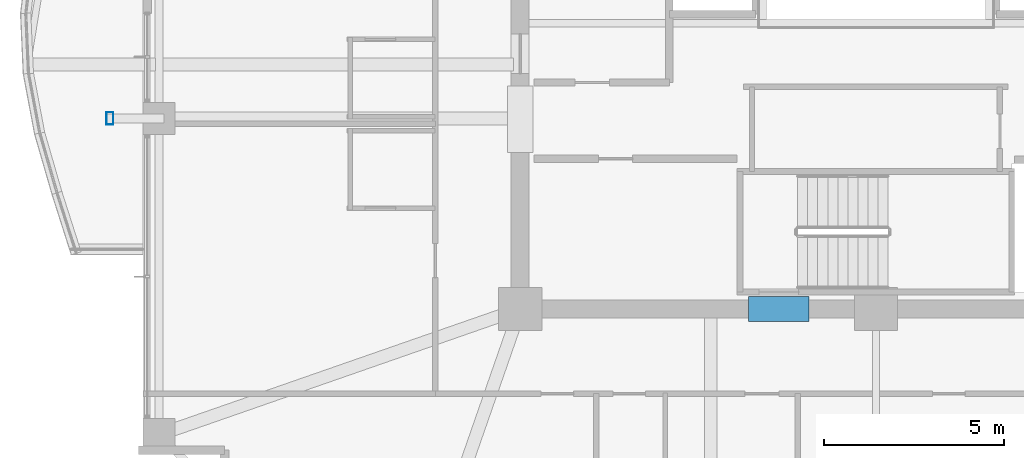
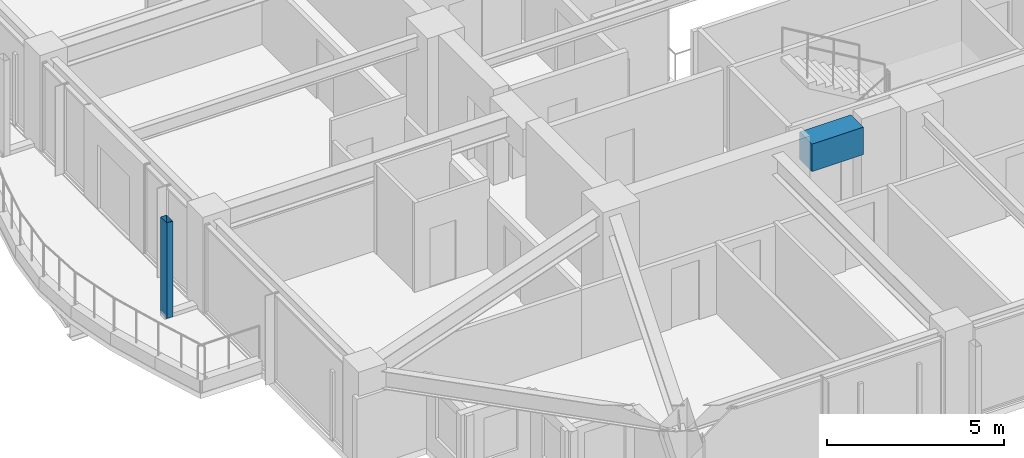
# One storey, part 5 of 35: 1 beam, 1 member.
"""IFC4 building model written with IfcOpenShell, lengths in metres."""

import ifcopenshell
import ifcopenshell.guid

model = None  # the IFC model being written
_history = None  # IfcOwnerHistory: only IFC2X3 demands one
_inside = {}  # id of a spatial element -> (the spatial element, [elements in it])
_under = {}  # id of a project, library or spatial element -> (it, [spatial elements below it])
_declared = {}  # id of a project -> (the project, [libraries it declares])
_typed = {}  # id of a type object -> (the type object, [elements of that type])
_made_of = {}  # id of a material, layer set ... -> (it, [elements and type objects made of it])


def new_model(schema):
    """Start an empty IFC model of exactly this schema.

    Asked for "IFC4X3", IfcOpenShell would pick the latest addendum, in which some entities
    have other attributes; the version numbers below select the first issue.
    IFC2X3 requires an IfcOwnerHistory on every rooted entity: one is made here for all.
    """
    global model, _history
    if schema == "IFC4X3":
        model = ifcopenshell.file(schema_version=(4, 3, 0, 0))
    else:
        model = ifcopenshell.file(schema=schema)
    _inside.clear()
    _under.clear()
    _declared.clear()
    _typed.clear()
    _made_of.clear()
    _history = None
    if model.schema == "IFC2X3":
        org = make("IfcOrganization", Name="unknown")
        user = make(
            "IfcPersonAndOrganization",
            ThePerson=make("IfcPerson", FamilyName="unknown"),
            TheOrganization=org,
        )
        app = make(
            "IfcApplication",
            ApplicationDeveloper=org,
            Version="unknown",
            ApplicationFullName="unknown",
            ApplicationIdentifier="unknown",
        )
        _history = make(
            "IfcOwnerHistory",
            OwningUser=user,
            OwningApplication=app,
            ChangeAction="ADDED",
            CreationDate=0,
        )
    return model


def make(cls, **values):
    """One entity of the class cls with the attributes given. An attribute that is None is left unset."""
    return model.create_entity(
        cls, **{name: value for name, value in values.items() if value is not None}
    )


def rooted(cls, **values):
    """An entity with a GlobalId (a new one), such as an element, a storey or a relation."""
    return make(cls, GlobalId=ifcopenshell.guid.new(), OwnerHistory=_history, **values)


def si_unit(unit_type, name, prefix=None):
    """IfcSIUnit, for example si_unit("LENGTHUNIT", "METRE", prefix="MILLI")."""
    return make("IfcSIUnit", UnitType=unit_type, Prefix=prefix, Name=name)


def assignment(units):
    """IfcUnitAssignment: the units of a project."""
    return None if units is None else make("IfcUnitAssignment", Units=units)


def point(xyz):
    """IfcCartesianPoint."""
    return None if xyz is None else make("IfcCartesianPoint", Coordinates=xyz)


def direction(xyz):
    """IfcDirection."""
    return None if xyz is None else make("IfcDirection", DirectionRatios=xyz)


def frame(location, z_axis=None, x_axis=None):
    """IfcAxis2Placement3D, a coordinate frame: its origin and axes. An axis left out is left unset."""
    return make(
        "IfcAxis2Placement3D",
        Location=point(location),
        Axis=direction(z_axis),
        RefDirection=direction(x_axis),
    )


def frame_2d(location, x_axis=None):
    """IfcAxis2Placement2D, a coordinate frame in the plane: its origin and x axis."""
    return make(
        "IfcAxis2Placement2D", Location=point(location), RefDirection=direction(x_axis)
    )


def origin():
    """The frame at (0, 0, 0) with its axes left unset."""
    return frame((0.0, 0.0, 0.0))


def origin_2d():
    """The frame at (0, 0) in the plane with its x axis left unset."""
    return frame_2d((0.0, 0.0))


def place(relative_to, where):
    """IfcLocalPlacement: puts the frame where relative to a parent placement (None: the world)."""
    return make(
        "IfcLocalPlacement", PlacementRelTo=relative_to, RelativePlacement=where
    )


def context(
    kind, dimensions, precision=None, world=None, true_north=None, identifier=None
):
    """IfcGeometricRepresentationContext, for example the 3D "Model" context."""
    return make(
        "IfcGeometricRepresentationContext",
        ContextIdentifier=identifier,
        ContextType=kind,
        CoordinateSpaceDimension=dimensions,
        Precision=precision,
        WorldCoordinateSystem=world,
        TrueNorth=true_north,
    )


def subcontext(parent, identifier, kind, view, scale=None):
    """IfcGeometricRepresentationSubContext, for example "Body" below "Model"."""
    return make(
        "IfcGeometricRepresentationSubContext",
        ContextIdentifier=identifier,
        ContextType=kind,
        ParentContext=parent,
        TargetScale=scale,
        TargetView=view,
    )


def project(units=None, contexts=None):
    """IfcProject with its units and contexts."""
    return rooted(
        "IfcProject",
        Name="project",
        RepresentationContexts=contexts,
        UnitsInContext=assignment(units),
    )


def spatial(cls, under=None, at=None, **own):
    """A site, building, storey or space (cls), placed at a placement, below another one or the project."""
    s = rooted(cls, ObjectPlacement=at, **own)
    if under is not None:
        _under.setdefault(under.id(), (under, []))[1].append(s)
    return s


def profile(cls, at=None, kind="AREA", **sizes):
    """A parametric profile (cls). Its sizes go by their IFC names, for example OverallWidth=200.0."""
    return make(cls, ProfileType=kind, Position=at, **sizes)


def rectangle(**sizes):
    """IfcRectangleProfileDef."""
    return profile("IfcRectangleProfileDef", **sizes)


def hollow_rectangle(**sizes):
    """IfcRectangleHollowProfileDef."""
    return profile("IfcRectangleHollowProfileDef", **sizes)


def extrude(swept, where, along, depth):
    """IfcExtrudedAreaSolid: the profile swept, set in the frame where, extruded along a direction by depth."""
    return make(
        "IfcExtrudedAreaSolid",
        SweptArea=swept,
        Position=where,
        ExtrudedDirection=direction(along),
        Depth=depth,
    )


def shape(context_of_items, identifier, shape_type, items):
    """IfcShapeRepresentation: the items that make up one representation, for example the "Body"."""
    return make(
        "IfcShapeRepresentation",
        ContextOfItems=context_of_items,
        RepresentationIdentifier=identifier,
        RepresentationType=shape_type,
        Items=items,
    )


def material(Name=None, Category=None):
    """IfcMaterial."""
    return make("IfcMaterial", Name=Name, Category=Category)


def material_profile(
    of_material, cross_section, Name=None, Category=None, Priority=None
):
    """IfcMaterialProfile: a cross section and its material."""
    return make(
        "IfcMaterialProfile",
        Name=Name,
        Material=of_material,
        Profile=cross_section,
        Priority=Priority,
        Category=Category,
    )


def profile_set(profiles, Name=None, composite=None):
    """IfcMaterialProfileSet."""
    return make(
        "IfcMaterialProfileSet",
        Name=Name,
        MaterialProfiles=profiles,
        CompositeProfile=composite,
    )


def made_of(thing, what):
    """Note that an element or type object is made of a material, layer set ...; save() writes the relation."""
    if what is not None:
        _made_of.setdefault(what.id(), (what, []))[1].append(thing)
    return thing


def type_object(cls, material=None, **own):
    """A type object (cls), such as IfcWallType, which elements share."""
    return made_of(rooted(cls, **own), material)


def element(
    cls,
    number,
    at=None,
    inside=None,
    cuts=None,
    type_object=None,
    material=None,
    context=None,
    identifier="Body",
    shape_type=None,
    held_by="IfcProductDefinitionShape",
    body=None,
    shapes=None,
    **own,
):
    """One element of the class cls, such as IfcWall. Its Tag is "e" and its number.

    at: its placement. inside: the storey or other place that contains it. cuts: it is an
    opening in that element (IfcRelVoidsElement). A single representation is given by context,
    identifier, shape_type and body (its items); several are given by shapes. held_by: the class
    of the entity that holds the representations. save() writes the other relations.
    """
    e = rooted(cls, Tag="e%d" % number, ObjectPlacement=at, **own)
    if body is not None:
        shapes = [shape(context, identifier, shape_type, body)]
    if shapes is not None:
        e.Representation = make(held_by, Representations=shapes)
    if inside is not None:
        _inside.setdefault(inside.id(), (inside, []))[1].append(e)
    if cuts is not None:
        rooted(
            "IfcRelVoidsElement", RelatingBuildingElement=cuts, RelatedOpeningElement=e
        )
    if type_object is not None:
        _typed.setdefault(type_object.id(), (type_object, []))[1].append(e)
    return made_of(e, material)


def aggregate(whole, parts):
    """IfcRelAggregates: a whole, such as a stair, and the parts it consists of."""
    return rooted("IfcRelAggregates", RelatingObject=whole, RelatedObjects=parts)


def save(model, path):
    """Write the relations noted so far, then the file.

    IfcRelAggregates (storeys below a building ...), IfcRelContainedInSpatialStructure (elements
    in a storey), IfcRelDefinesByType, IfcRelAssociatesMaterial and IfcRelDeclares: one each for
    every whole, place, type object, material and project.
    """
    for whole, parts in _under.values():
        aggregate(whole, parts)
    for where, things in _inside.values():
        rooted(
            "IfcRelContainedInSpatialStructure",
            RelatedElements=things,
            RelatingStructure=where,
        )
    for kind, things in _typed.values():
        rooted("IfcRelDefinesByType", RelatedObjects=things, RelatingType=kind)
    for what, things in _made_of.values():
        rooted("IfcRelAssociatesMaterial", RelatedObjects=things, RelatingMaterial=what)
    for by, libraries in _declared.values():
        rooted("IfcRelDeclares", RelatingContext=by, RelatedDefinitions=libraries)
    model.write(path)


model = new_model("IFC4")

# Units and contexts
model_context = context("Model", 3, precision=1e-05, world=origin(), true_north=direction((0.0, 1.0)))
body_context = subcontext(model_context, "Body", "Model", "MODEL_VIEW")
ifc_project = project(units=[si_unit("LENGTHUNIT", "METRE"), si_unit("AREAUNIT", "SQUARE_METRE"), si_unit("VOLUMEUNIT", "CUBIC_METRE"), si_unit("PLANEANGLEUNIT", "RADIAN"), si_unit("MASSUNIT", "GRAM", prefix="KILO")], contexts=[model_context])

# Site, building, storey
site_placement = place(None, origin())
site = spatial("IfcSite", under=ifc_project, at=site_placement, CompositionType="ELEMENT")
building_placement = place(site_placement, origin())
building = spatial("IfcBuilding", under=site, at=building_placement, Name="Kolvaren Belvedere", CompositionType="ELEMENT")
storey_placement = place(building_placement, frame((0.0, 0.0, 176.699951171875)))
storey = spatial("IfcBuildingStorey", under=building, at=storey_placement, Name="L51", CompositionType="ELEMENT", Elevation=176.699951171875)

# Beam
ifc_material_1 = material(Name="Concrete C60/75", Category="concrete")
ifc_material_profile_1 = material_profile(ifc_material_1, rectangle(XDim=0.699951171875, YDim=0.949951171875, at=origin_2d()), Name="RC 700X950")
ifc_profile_set_1 = profile_set([ifc_material_profile_1], Name="Concrete C60/75")
beam_type = type_object("IfcBeamType", Name="BM-LINT-950", PredefinedType="LINTEL", material=ifc_profile_set_1)
beam_placement = place(storey_placement, frame((-3.5400390625, -9.89990234375, 2.60498046875), z_axis=(1.0, 0.0, 0.0), x_axis=(0.0, 1.0, 0.0)))
element("IfcBeam", 1, at=beam_placement, inside=storey, type_object=beam_type, Name="L51 South Core Coupling Lintel", PredefinedType="LINTEL", context=body_context, shape_type="SweptSolid", body=[
    extrude(rectangle(XDim=0.699951171875, YDim=0.949951171875, at=origin_2d()), origin(), (0.0, 0.0, 1.0), 1.679931640625),
])

# Member
ifc_material_2 = material(Name="Anodised pale-metal aluminium AA 6063-T6", Category="aluminium")
ifc_material_profile_2 = material_profile(ifc_material_2, hollow_rectangle(XDim=0.199951171875, YDim=0.35009765625, WallThickness=0.007568359375, at=origin_2d()), Name="ALU-PF-350X200")
ifc_profile_set_2 = profile_set([ifc_material_profile_2], Name="Anodised pale-metal aluminium AA 6063-T6")
member_type = type_object("IfcMemberType", Name="PF-FRAME-350", PredefinedType="USERDEFINED", material=ifc_profile_set_2)
member_placement = place(storey_placement, frame((-21.320068359375, -4.60009765625, 0.0), z_axis=(0.0, 0.0, 1.0), x_axis=(1.0, 0.0, 0.0)))
element("IfcMember", 2, at=member_placement, inside=storey, type_object=member_type, Name="L51 Outboard Picture-Frame Vertical W1", ObjectType="PICTURE FRAME FIN", PredefinedType="USERDEFINED", context=body_context, shape_type="SweptSolid", body=[
    extrude(hollow_rectangle(XDim=0.199951171875, YDim=0.35009765625, WallThickness=0.007568359375, at=origin_2d()), origin(), (0.0, 0.0, 1.0), 3.300048828125),
])

save(model, "model.ifc")
